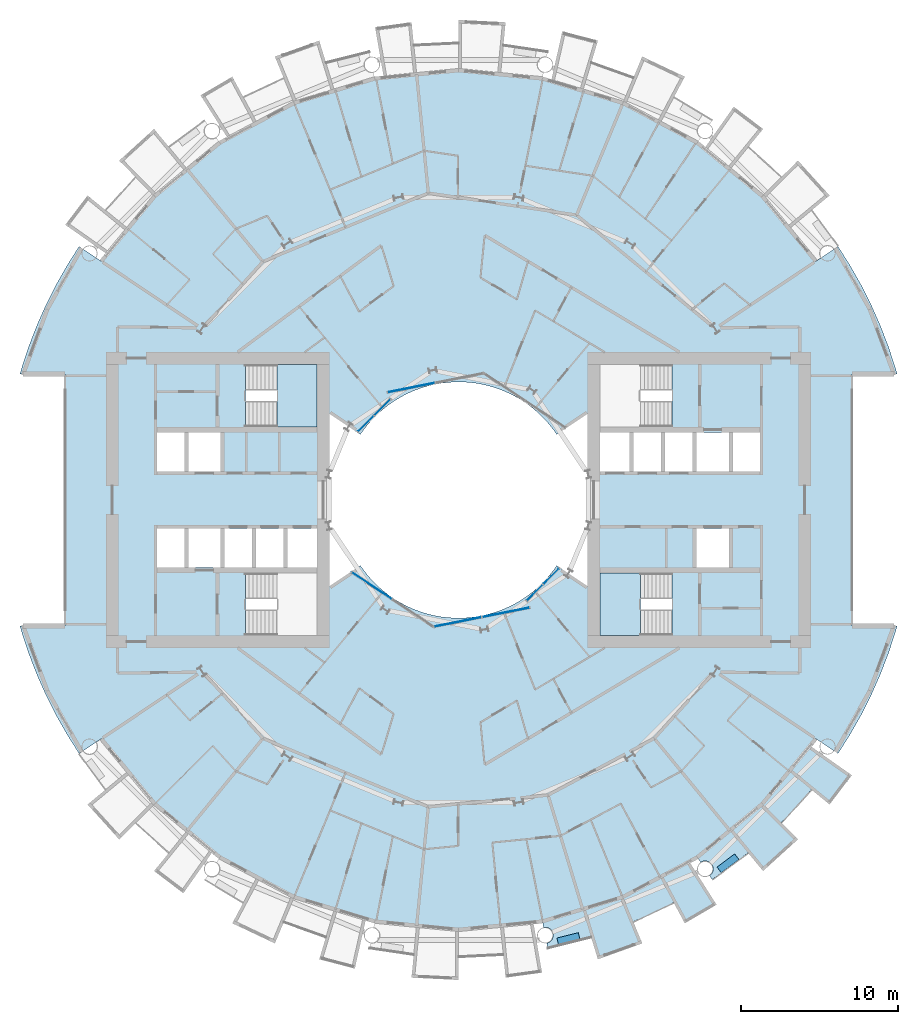
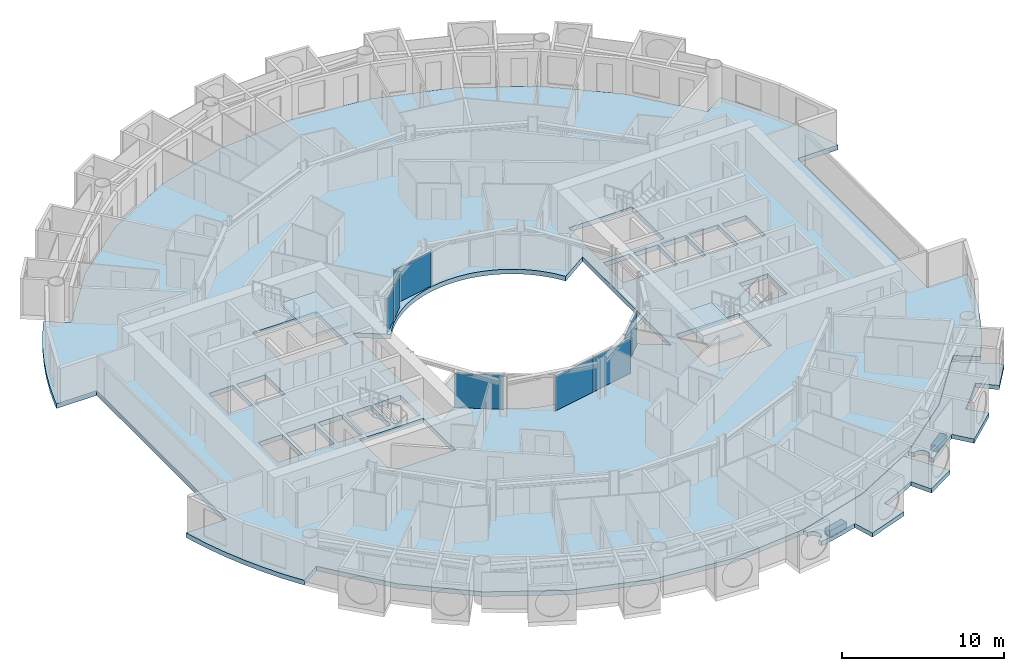
# One storey, part 10 of 26: 8 plates, 7 slabs, 7 elements without a shape of their own.
"""IFC4 building model written with IfcOpenShell, lengths in metres."""

from ifc_helpers import new_model, si_unit, direction, frame, origin, origin_2d, place, context, subcontext, project, spatial, polyline, rectangle, outline, extrude, material, layer, layer_set, type_object, element, aggregate, save


model = new_model("IFC4")

# Units and contexts
model_context = context("Model", 3, precision=1e-05, world=origin(), true_north=direction((0.0, 1.0)))
body_context = subcontext(model_context, "Body", "Model", "MODEL_VIEW")
ifc_project = project(units=[si_unit("LENGTHUNIT", "METRE"), si_unit("AREAUNIT", "SQUARE_METRE"), si_unit("VOLUMEUNIT", "CUBIC_METRE"), si_unit("PLANEANGLEUNIT", "RADIAN"), si_unit("MASSUNIT", "GRAM", prefix="KILO")], contexts=[model_context])

# Site, building, storey
site_placement = place(None, origin())
site = spatial("IfcSite", under=ifc_project, at=site_placement, CompositionType="ELEMENT")
building_placement = place(site_placement, origin())
building = spatial("IfcBuilding", under=site, at=building_placement, Name="Maasbend Ring Residences", CompositionType="ELEMENT")
storey_placement = place(building_placement, frame((0.0, 0.0, 50.25)))
storey = spatial("IfcBuildingStorey", under=building, at=storey_placement, Name="L14", CompositionType="ELEMENT", Elevation=50.25)

# Stair, slab
ifc_material_1 = material(Name="Concrete C40/50", Category="concrete")
stair_type = type_object("IfcStairType", Name="CORE STAIR 18 RISERS", PredefinedType="HALF_TURN_STAIR", material=ifc_material_1)
stair_1_placement = place(storey_placement, origin())
stair_1 = element("IfcStair", 1, at=stair_1_placement, inside=storey, type_object=stair_type, Name="L14 Exit stair ST-E2", PredefinedType="HALF_TURN_STAIR")
ifc_material_2 = material(Name="Concrete C40/50", Category="concrete")
ifc_layer_1 = layer(ifc_material_2, 0.199951171875)
ifc_layer_set_1 = layer_set([ifc_layer_1], Name="Concrete C40/50")
slab_type_1 = type_object("IfcSlabType", Name="CORE STAIR LANDING 200", PredefinedType="LANDING", material=ifc_layer_set_1)
slab_1_placement = place(storey_placement, frame((0.0, 0.0, 1.324951171875)))
slab_1 = element("IfcSlab", 2, at=slab_1_placement, type_object=slab_type_1, Name="ST-E2 landing 1", PredefinedType="LANDING", context=body_context, shape_type="SweptSolid", body=[
    extrude(outline(polyline([(11.550048828125, -4.64990234375), (9.0, -4.64990234375), (9.0, -8.60009765625), (11.550048828125, -8.60009765625), (11.550048828125, -4.64990234375)])), origin(), (0.0, 0.0, 1.0), 0.199951171875),
])
aggregate(stair_1, [slab_1])

stair_2_placement = place(storey_placement, origin())
stair_2 = element("IfcStair", 3, at=stair_2_placement, inside=storey, type_object=stair_type, Name="L14 Exit stair ST-W2", PredefinedType="HALF_TURN_STAIR")
slab_2_placement = place(storey_placement, frame((0.0, 0.0, 1.324951171875)))
slab_2 = element("IfcSlab", 4, at=slab_2_placement, type_object=slab_type_1, Name="ST-W2 landing 1", PredefinedType="LANDING", context=body_context, shape_type="SweptSolid", body=[
    extrude(outline(polyline([(-11.550048828125, 4.64990234375), (-9.0, 4.64990234375), (-9.0, 8.60009765625), (-11.550048828125, 8.60009765625), (-11.550048828125, 4.64990234375)])), origin(), (0.0, 0.0, 1.0), 0.199951171875),
])
aggregate(stair_2, [slab_2])

# Curtain wall, plate
ifc_material_3 = material(Name="Aluminium and clear glass", Category="aluminium")
ifc_layer_2 = layer(ifc_material_3, 0.179931640625)
ifc_layer_set_2 = layer_set([ifc_layer_2], Name="CW-W")
curtain_wall_type = type_object("IfcCurtainWallType", Name="CW-W", PredefinedType="NOTDEFINED", material=ifc_layer_set_2)
curtain_wall_1_placement = place(storey_placement, origin())
curtain_wall_1 = element("IfcCurtainWall", 5, at=curtain_wall_1_placement, inside=storey, type_object=curtain_wall_type, Name="Well curtain wall N2", PredefinedType="NOTDEFINED")
ifc_material_4 = material(Name="Glass clear laminated", Category="glass")
ifc_layer_3 = layer(ifc_material_4, 0.031982421875)
ifc_layer_set_3 = layer_set([ifc_layer_3], Name="CWP-W")
plate_type = type_object("IfcPlateType", Name="CWP-W", PredefinedType="CURTAIN_PANEL", material=ifc_layer_set_3)
plate_1_placement = place(storey_placement, frame((-3.0078125, 7.140380859375, 0.0), z_axis=(0.0, 0.0, 1.0), x_axis=(-0.980785280403, -0.195090322016, 0.0)))
plate_1 = element("IfcPlate", 6, at=plate_1_placement, type_object=plate_type, Name="Glass panel well face", PredefinedType="CURTAIN_PANEL", context=body_context, shape_type="SweptSolid", body=[
    extrude(rectangle(XDim=3.053955078125, YDim=0.031982421875, at=origin_2d()), origin(), (0.0, 0.0, 1.0), 2.580078125),
])
aggregate(curtain_wall_1, [plate_1])

# Curtain wall, plates
curtain_wall_2_placement = place(storey_placement, origin())
curtain_wall_2 = element("IfcCurtainWall", 7, at=curtain_wall_2_placement, inside=storey, type_object=curtain_wall_type, Name="Well curtain wall N3", PredefinedType="NOTDEFINED")
plate_2_placement = place(storey_placement, frame((-4.84375, 5.89013671875, 0.0), z_axis=(0.0, 0.0, 1.0), x_axis=(-0.707106781187, -0.707106781187, 0.0)))
plate_2 = element("IfcPlate", 8, at=plate_2_placement, type_object=plate_type, Name="Glass panel well face", PredefinedType="CURTAIN_PANEL", context=body_context, shape_type="SweptSolid", body=[
    extrude(rectangle(XDim=1.419677734375, YDim=0.031982421875, at=origin_2d()), origin(), (0.0, 0.0, 1.0), 2.580078125),
])
plate_3_placement = place(storey_placement, frame((-5.89013671875, 4.84375, 0.0), z_axis=(0.0, 0.0, 1.0), x_axis=(-0.707106781187, -0.707106781187, 0.0)))
plate_3 = element("IfcPlate", 9, at=plate_3_placement, type_object=plate_type, Name="Glass panel well face", PredefinedType="CURTAIN_PANEL", context=body_context, shape_type="SweptSolid", body=[
    extrude(rectangle(XDim=1.419677734375, YDim=0.031982421875, at=origin_2d()), origin(), (0.0, 0.0, 1.0), 2.580078125),
])
aggregate(curtain_wall_2, [plate_2, plate_3])

# Curtain wall, plate
curtain_wall_3_placement = place(storey_placement, origin())
curtain_wall_3 = element("IfcCurtainWall", 10, at=curtain_wall_3_placement, inside=storey, type_object=curtain_wall_type, Name="Well curtain wall S1", PredefinedType="NOTDEFINED")
plate_4_placement = place(storey_placement, frame((-5.51123046875, -5.44580078125, 0.0), z_axis=(0.0, 0.0, 1.0), x_axis=(0.831469612303, -0.55557023302, 0.0)))
plate_4 = element("IfcPlate", 11, at=plate_4_placement, type_object=plate_type, Name="Glass panel well face", PredefinedType="CURTAIN_PANEL", context=body_context, shape_type="SweptSolid", body=[
    extrude(rectangle(XDim=3.053955078125, YDim=0.031982421875, at=origin_2d()), origin(), (0.0, 0.0, 1.0), 2.580078125),
])
aggregate(curtain_wall_3, [plate_4])

# Curtain wall, plates
curtain_wall_4_placement = place(storey_placement, origin())
curtain_wall_4 = element("IfcCurtainWall", 12, at=curtain_wall_4_placement, inside=storey, type_object=curtain_wall_type, Name="Well curtain wall S2", PredefinedType="NOTDEFINED")
plate_5_placement = place(storey_placement, frame((-0.04638671875, -7.747802734375, 0.0), z_axis=(0.0, 0.0, 1.0), x_axis=(0.980785280403, 0.195090322016, 0.0)))
plate_5 = element("IfcPlate", 13, at=plate_5_placement, type_object=plate_type, Name="Glass panel well face", PredefinedType="CURTAIN_PANEL", context=body_context, shape_type="SweptSolid", body=[
    extrude(rectangle(XDim=3.053955078125, YDim=0.031982421875, at=origin_2d()), origin(), (0.0, 0.0, 1.0), 2.580078125),
])
plate_6_placement = place(storey_placement, frame((3.0078125, -7.140380859375, 0.0), z_axis=(0.0, 0.0, 1.0), x_axis=(0.980785280403, 0.195090322016, 0.0)))
plate_6 = element("IfcPlate", 14, at=plate_6_placement, type_object=plate_type, Name="Glass panel well face", PredefinedType="CURTAIN_PANEL", context=body_context, shape_type="SweptSolid", body=[
    extrude(rectangle(XDim=3.053955078125, YDim=0.031982421875, at=origin_2d()), origin(), (0.0, 0.0, 1.0), 2.580078125),
])
aggregate(curtain_wall_4, [plate_5, plate_6])

curtain_wall_5_placement = place(storey_placement, origin())
curtain_wall_5 = element("IfcCurtainWall", 15, at=curtain_wall_5_placement, inside=storey, type_object=curtain_wall_type, Name="Well curtain wall S3", PredefinedType="NOTDEFINED")
plate_7_placement = place(storey_placement, frame((4.84375, -5.89013671875, 0.0), z_axis=(0.0, 0.0, 1.0), x_axis=(0.707106781187, 0.707106781187, 0.0)))
plate_7 = element("IfcPlate", 16, at=plate_7_placement, type_object=plate_type, Name="Glass panel well face", PredefinedType="CURTAIN_PANEL", context=body_context, shape_type="SweptSolid", body=[
    extrude(rectangle(XDim=1.419677734375, YDim=0.031982421875, at=origin_2d()), origin(), (0.0, 0.0, 1.0), 2.580078125),
])
plate_8_placement = place(storey_placement, frame((5.89013671875, -4.84375, 0.0), z_axis=(0.0, 0.0, 1.0), x_axis=(0.707106781187, 0.707106781187, 0.0)))
plate_8 = element("IfcPlate", 17, at=plate_8_placement, type_object=plate_type, Name="Glass panel well face", PredefinedType="CURTAIN_PANEL", context=body_context, shape_type="SweptSolid", body=[
    extrude(rectangle(XDim=1.419677734375, YDim=0.031982421875, at=origin_2d()), origin(), (0.0, 0.0, 1.0), 2.580078125),
])
aggregate(curtain_wall_5, [plate_7, plate_8])

# Slabs
ifc_material_5 = material(Name="Planting with climbing greenery")
ifc_layer_4 = layer(ifc_material_5, 0.449951171875)
ifc_layer_set_4 = layer_set([ifc_layer_4], Name="PLANTER-LG")
slab_type_2 = type_object("IfcSlabType", Name="PLANTER-LG", PredefinedType="USERDEFINED", material=ifc_layer_set_4)
slab_3_placement = place(storey_placement, frame((0.0, 0.0, -0.030029296875)))
element("IfcSlab", 18, at=slab_3_placement, inside=storey, type_object=slab_type_2, Name="Planter with climbing greenery 4", ObjectType="PLANTER", PredefinedType="USERDEFINED", context=body_context, shape_type="SweptSolid", body=[
    extrude(outline(polyline([(6.35888671875, -28.26708984375), (7.717041015625, -27.927001953125), (7.60791015625, -27.489990234375), (6.25, -27.8310546875), (6.35888671875, -28.26708984375)])), origin(), (0.0, 0.0, 1.0), 0.449951171875),
])
slab_4_placement = place(storey_placement, frame((0.0, 0.0, -0.030029296875)))
element("IfcSlab", 19, at=slab_4_placement, inside=storey, type_object=slab_type_2, Name="Planter with climbing greenery 5", ObjectType="PLANTER", PredefinedType="USERDEFINED", context=body_context, shape_type="SweptSolid", body=[
    extrude(outline(polyline([(16.69189453125, -23.681884765625), (17.81689453125, -22.847900390625), (17.549072265625, -22.487060546875), (16.424072265625, -23.321044921875), (16.69189453125, -23.681884765625)])), origin(), (0.0, 0.0, 1.0), 0.449951171875),
])
ifc_material_6 = material(Name="Concrete C40/50", Category="concrete")
ifc_layer_5 = layer(ifc_material_6, 0.35009765625)
ifc_layer_set_5 = layer_set([ifc_layer_5], Name="Concrete C40/50")
slab_type_3 = type_object("IfcSlabType", Name="Post-tensioned flat plate 350", PredefinedType="FLOOR", material=ifc_layer_set_5)
slab_5_placement = place(storey_placement, frame((0.0, 0.0, -0.35009765625)))
element("IfcSlab", 20, at=slab_5_placement, inside=storey, type_object=slab_type_3, Name="Floor slab L14", PredefinedType="FLOOR", context=body_context, shape_type="SweptSolid", body=[
    extrude(outline(polyline([(24.8740234375, -14.908935546875), (25.57568359375, -13.67041015625), (26.2158203125, -12.399169921875), (26.79248046875, -11.097900390625), (27.3046875, -9.769775390625), (27.751220703125, -8.418212890625), (27.866943359375, -8.0), (25.0, -8.0), (25.0, 8.0), (27.866943359375, 8.0), (27.751220703125, 8.418212890625), (27.3046875, 9.769775390625), (26.79248046875, 11.097900390625), (26.2158203125, 12.399169921875), (25.57568359375, 13.67041015625), (24.8740234375, 14.908935546875), (24.112548828125, 16.111572265625), (22.69921875, 15.1669921875), (19.303955078125, 19.303955078125), (15.1669921875, 22.69921875), (10.447265625, 25.221923828125), (5.325927734375, 26.775390625), (0.0, 27.300048828125), (-5.325927734375, 26.775390625), (-10.447265625, 25.221923828125), (-15.1669921875, 22.69921875), (-19.303955078125, 19.303955078125), (-22.69921875, 15.1669921875), (-24.112548828125, 16.111572265625), (-24.8740234375, 14.908935546875), (-25.57568359375, 13.67041015625), (-26.2158203125, 12.399169921875), (-26.79248046875, 11.097900390625), (-27.3046875, 9.769775390625), (-27.751220703125, 8.418212890625), (-27.866943359375, 8.0), (-25.0, 8.0), (-25.0, -8.0), (-27.866943359375, -8.0), (-27.751220703125, -8.418212890625), (-27.3046875, -9.769775390625), (-26.79248046875, -11.097900390625), (-26.2158203125, -12.399169921875), (-25.57568359375, -13.67041015625), (-24.8740234375, -14.908935546875), (-24.112548828125, -16.111572265625), (-22.69921875, -15.1669921875), (-19.303955078125, -19.303955078125), (-15.1669921875, -22.69921875), (-10.447265625, -25.221923828125), (-5.325927734375, -26.775390625), (0.0, -27.300048828125), (5.325927734375, -26.775390625), (10.447265625, -25.221923828125), (15.1669921875, -22.69921875), (19.303955078125, -19.303955078125), (22.69921875, -15.1669921875), (24.112548828125, -16.111572265625), (24.8740234375, -14.908935546875)]), holes=[polyline([(17.425048828125, 4.27490234375), (19.14990234375, 4.27490234375), (19.14990234375, 1.824951171875), (17.425048828125, 1.824951171875), (17.425048828125, 4.27490234375)]), polyline([(15.125, 1.824951171875), (15.125, 4.27490234375), (17.175048828125, 4.27490234375), (17.175048828125, 1.824951171875), (15.125, 1.824951171875)]), polyline([(15.125, -4.27490234375), (15.125, -1.824951171875), (17.175048828125, -1.824951171875), (17.175048828125, -4.27490234375), (15.125, -4.27490234375)]), polyline([(13.125, 1.824951171875), (13.125, 4.27490234375), (14.875, 4.27490234375), (14.875, 1.824951171875), (13.125, 1.824951171875)]), polyline([(13.550048828125, 4.64990234375), (9.0, 4.64990234375), (9.0, 8.60009765625), (13.550048828125, 8.60009765625), (13.550048828125, 4.64990234375)]), polyline([(13.550048828125, -4.64990234375), (13.550048828125, -8.60009765625), (9.0, -8.60009765625), (9.0, -4.64990234375), (13.550048828125, -4.64990234375)]), polyline([(11.125, 1.824951171875), (11.125, 4.27490234375), (12.875, 4.27490234375), (12.875, 1.824951171875), (11.125, 1.824951171875)]), polyline([(9.0, 1.824951171875), (9.0, 4.27490234375), (10.875, 4.27490234375), (10.875, 1.824951171875), (9.0, 1.824951171875)]), polyline([(6.024169921875, 4.4677734375), (6.236083984375, 4.166748046875), (8.199951171875, 5.47900390625), (8.199951171875, -5.47900390625), (6.236083984375, -4.166748046875), (6.024169921875, -4.4677734375), (5.797607421875, -4.7578125), (5.55712890625, -5.03662109375), (5.30322265625, -5.30322265625), (5.03662109375, -5.55712890625), (4.7578125, -5.797607421875), (4.4677734375, -6.024169921875), (4.166748046875, -6.236083984375), (3.855712890625, -6.43310546875), (3.535400390625, -6.614501953125), (3.206787109375, -6.77978515625), (2.8701171875, -6.92919921875), (2.526611328125, -7.0615234375), (2.177001953125, -7.177001953125), (1.822509765625, -7.275146484375), (1.463134765625, -7.35595703125), (1.1005859375, -7.418701171875), (0.735107421875, -7.4638671875), (0.367919921875, -7.490966796875), (0.0, -7.5), (-0.367919921875, -7.490966796875), (-0.735107421875, -7.4638671875), (-1.1005859375, -7.418701171875), (-1.463134765625, -7.35595703125), (-1.822509765625, -7.275146484375), (-2.177001953125, -7.177001953125), (-2.526611328125, -7.0615234375), (-2.8701171875, -6.92919921875), (-3.206787109375, -6.77978515625), (-3.535400390625, -6.614501953125), (-3.855712890625, -6.43310546875), (-4.166748046875, -6.236083984375), (-4.4677734375, -6.024169921875), (-4.7578125, -5.797607421875), (-5.03662109375, -5.55712890625), (-5.30322265625, -5.30322265625), (-5.55712890625, -5.03662109375), (-5.797607421875, -4.7578125), (-6.024169921875, -4.4677734375), (-6.236083984375, -4.166748046875), (-8.199951171875, -5.47900390625), (-8.199951171875, 5.47900390625), (-6.236083984375, 4.166748046875), (-6.236083984375, 4.166748046875), (-6.024169921875, 4.4677734375), (-5.797607421875, 4.7578125), (-5.55712890625, 5.03662109375), (-5.30322265625, 5.30322265625), (-5.03662109375, 5.55712890625), (-4.7578125, 5.797607421875), (-4.4677734375, 6.024169921875), (-4.166748046875, 6.236083984375), (-3.855712890625, 6.43310546875), (-3.535400390625, 6.614501953125), (-3.206787109375, 6.77978515625), (-2.8701171875, 6.92919921875), (-2.526611328125, 7.0615234375), (-2.177001953125, 7.177001953125), (-1.822509765625, 7.275146484375), (-1.463134765625, 7.35595703125), (-1.1005859375, 7.418701171875), (-0.735107421875, 7.4638671875), (-0.367919921875, 7.490966796875), (0.0, 7.5), (0.367919921875, 7.490966796875), (0.735107421875, 7.4638671875), (1.1005859375, 7.418701171875), (1.463134765625, 7.35595703125), (1.822509765625, 7.275146484375), (2.177001953125, 7.177001953125), (2.526611328125, 7.0615234375), (2.8701171875, 6.92919921875), (3.206787109375, 6.77978515625), (3.535400390625, 6.614501953125), (3.855712890625, 6.43310546875), (4.166748046875, 6.236083984375), (4.4677734375, 6.024169921875), (4.7578125, 5.797607421875), (5.03662109375, 5.55712890625), (5.30322265625, 5.30322265625), (5.55712890625, 5.03662109375), (5.797607421875, 4.7578125), (6.024169921875, 4.4677734375)]), polyline([(-13.550048828125, 4.64990234375), (-13.550048828125, 8.60009765625), (-9.0, 8.60009765625), (-9.0, 4.64990234375), (-13.550048828125, 4.64990234375)]), polyline([(-13.550048828125, -8.60009765625), (-13.550048828125, -4.64990234375), (-9.0, -4.64990234375), (-9.0, -8.60009765625), (-13.550048828125, -8.60009765625)]), polyline([(-9.0, -1.824951171875), (-9.0, -4.27490234375), (-10.875, -4.27490234375), (-10.875, -1.824951171875), (-9.0, -1.824951171875)]), polyline([(-11.125, -1.824951171875), (-11.125, -4.27490234375), (-12.875, -4.27490234375), (-12.875, -1.824951171875), (-11.125, -1.824951171875)]), polyline([(-13.125, -1.824951171875), (-13.125, -4.27490234375), (-14.875, -4.27490234375), (-14.875, -1.824951171875), (-13.125, -1.824951171875)]), polyline([(-15.125, 4.27490234375), (-15.125, 1.824951171875), (-17.175048828125, 1.824951171875), (-17.175048828125, 4.27490234375), (-15.125, 4.27490234375)]), polyline([(-15.125, -1.824951171875), (-15.125, -4.27490234375), (-17.175048828125, -4.27490234375), (-17.175048828125, -1.824951171875), (-15.125, -1.824951171875)]), polyline([(-17.425048828125, -1.824951171875), (-17.425048828125, -4.27490234375), (-19.14990234375, -4.27490234375), (-19.14990234375, -1.824951171875), (-17.425048828125, -1.824951171875)]), polyline([(-17.425048828125, 4.27490234375), (-17.425048828125, 1.824951171875), (-19.14990234375, 1.824951171875), (-19.14990234375, 4.27490234375), (-17.425048828125, 4.27490234375)])]), origin(), (0.0, 0.0, 1.0), 0.35009765625),
])
ifc_material_7 = material(Name="Concrete C40/50", Category="concrete")
ifc_layer_6 = layer(ifc_material_7, 0.199951171875)
ifc_layer_set_6 = layer_set([ifc_layer_6], Name="Concrete C40/50")
slab_type_4 = type_object("IfcSlabType", Name="SL-LOGGIA", PredefinedType="FLOOR", material=ifc_layer_set_6)
slab_6_placement = place(storey_placement, frame((0.0, 0.0, -0.35009765625)))
element("IfcSlab", 21, at=slab_6_placement, inside=storey, type_object=slab_type_4, Name="Loggia floor 2", PredefinedType="FLOOR", context=body_context, shape_type="SweptSolid", body=[
    extrude(outline(polyline([(10.447021484375, -25.221923828125), (12.806884765625, -23.9609375), (14.64599609375, -22.97705078125), (14.64599609375, -22.97705078125), (14.64599609375, -22.97705078125), (16.39404296875, -25.718994140625), (16.39404296875, -25.718994140625), (16.39404296875, -25.718994140625), (14.3779296875, -26.89892578125), (14.3779296875, -26.89892578125), (14.3779296875, -26.89892578125), (13.6708984375, -25.575927734375), (13.6708984375, -25.575927734375), (13.6708984375, -25.575927734375), (13.6708984375, -25.575927734375), (13.6708984375, -25.575927734375), (13.6708984375, -25.575927734375), (13.6708984375, -25.575927734375), (13.669921875, -25.575927734375), (13.669921875, -25.575927734375), (13.669921875, -25.575927734375), (13.669921875, -25.575927734375), (13.669921875, -25.575927734375), (13.669921875, -25.575927734375), (13.669921875, -25.575927734375), (13.669921875, -25.575927734375), (13.669921875, -25.575927734375), (13.669921875, -25.575927734375), (12.825927734375, -26.009033203125), (12.825927734375, -26.009033203125), (11.968994140625, -26.4150390625), (11.968994140625, -26.4150390625), (11.097900390625, -26.7919921875), (11.097900390625, -26.7919921875), (11.097900390625, -26.7919921875), (11.097900390625, -26.7919921875), (11.097900390625, -26.7919921875), (11.097900390625, -26.7919921875), (11.097900390625, -26.7919921875), (11.097900390625, -26.79296875), (11.097900390625, -26.79296875), (11.097900390625, -26.79296875), (11.097900390625, -26.79296875), (11.097900390625, -26.79296875), (11.097900390625, -26.79296875), (11.097900390625, -26.79296875), (11.097900390625, -26.79296875), (11.097900390625, -26.79296875), (11.097900390625, -26.79296875), (11.672119140625, -28.177978515625), (11.672119140625, -28.177978515625), (11.672119140625, -28.177978515625), (8.85400390625, -29.18701171875), (8.85400390625, -29.18701171875), (8.85400390625, -29.18701171875), (8.41796875, -27.751953125), (8.41796875, -27.751953125), (8.41796875, -27.751953125), (8.41796875, -27.751953125), (8.41796875, -27.751953125), (8.41796875, -27.751953125), (8.41796875, -27.751953125), (8.41796875, -27.7509765625), (8.41796875, -27.7509765625), (8.41796875, -27.7509765625), (8.41796875, -27.7509765625), (8.41796875, -27.7509765625), (8.41796875, -27.7509765625), (8.41796875, -27.7509765625), (8.41796875, -27.7509765625), (8.41796875, -27.7509765625), (8.41796875, -27.7509765625), (7.506103515625, -28.011962890625), (7.506103515625, -28.011962890625), (6.5849609375, -28.241943359375), (6.5849609375, -28.241943359375), (5.657958984375, -28.443115234375), (5.657958984375, -28.443115234375), (5.657958984375, -28.443115234375), (5.60107421875, -28.156005859375), (5.613037109375, -28.154052734375), (5.625, -28.15087890625), (5.636962890625, -28.14794921875), (5.64892578125, -28.14404296875), (5.660888671875, -28.139892578125), (5.673095703125, -28.135986328125), (5.68408203125, -28.132080078125), (5.696044921875, -28.126953125), (5.70703125, -28.123046875), (5.718994140625, -28.116943359375), (5.72998046875, -28.112060546875), (5.740966796875, -28.10595703125), (5.751953125, -28.10009765625), (5.762939453125, -28.093994140625), (5.77294921875, -28.0869140625), (5.783935546875, -28.080078125), (5.7939453125, -28.072998046875), (5.803955078125, -28.06591796875), (5.81396484375, -28.05908203125), (5.823974609375, -28.051025390625), (5.8330078125, -28.04296875), (5.843017578125, -28.034912109375), (5.85205078125, -28.02587890625), (5.861083984375, -28.01708984375), (5.868896484375, -28.008056640625), (5.8779296875, -27.9990234375), (5.885986328125, -27.989990234375), (5.89404296875, -27.97998046875), (5.902099609375, -27.970947265625), (5.909912109375, -27.9609375), (5.9169921875, -27.950927734375), (5.924072265625, -27.93994140625), (5.930908203125, -27.929931640625), (5.93701171875, -27.9189453125), (5.944091796875, -27.907958984375), (5.949951171875, -27.89794921875), (5.955078125, -27.886962890625), (5.9609375, -27.875), (5.966064453125, -27.864013671875), (5.970947265625, -27.85302734375), (5.97509765625, -27.841064453125), (5.97998046875, -27.8291015625), (5.98388671875, -27.81689453125), (5.988037109375, -27.805908203125), (5.990966796875, -27.7939453125), (5.993896484375, -27.781982421875), (5.9970703125, -27.76904296875), (6.0, -27.757080078125), (6.001953125, -27.7451171875), (6.00390625, -27.73291015625), (6.006103515625, -27.719970703125), (6.007080078125, -27.7080078125), (6.008056640625, -27.695068359375), (6.009033203125, -27.68310546875), (6.009033203125, -27.6708984375), (6.010009765625, -27.657958984375), (6.009033203125, -27.64599609375), (6.009033203125, -27.633056640625), (6.008056640625, -27.62109375), (6.007080078125, -27.60791015625), (6.006103515625, -27.595947265625), (6.00390625, -27.583984375), (6.001953125, -27.571044921875), (6.0, -27.55908203125), (5.9970703125, -27.547119140625), (5.993896484375, -27.534912109375), (5.990966796875, -27.52294921875), (5.988037109375, -27.510986328125), (5.98388671875, -27.4990234375), (5.97998046875, -27.487060546875), (5.97509765625, -27.47509765625), (5.970947265625, -27.464111328125), (5.966064453125, -27.451904296875), (5.9609375, -27.44091796875), (5.955078125, -27.429931640625), (5.949951171875, -27.4189453125), (5.944091796875, -27.407958984375), (5.93701171875, -27.39697265625), (5.930908203125, -27.385986328125), (5.924072265625, -27.3759765625), (5.9169921875, -27.365966796875), (5.909912109375, -27.35498046875), (5.902099609375, -27.345947265625), (5.89404296875, -27.3359375), (5.885986328125, -27.325927734375), (5.8779296875, -27.31689453125), (5.868896484375, -27.30810546875), (5.861083984375, -27.299072265625), (5.85205078125, -27.2900390625), (5.843017578125, -27.281982421875), (5.8330078125, -27.27294921875), (5.823974609375, -27.264892578125), (5.81396484375, -27.258056640625), (5.803955078125, -27.25), (5.7939453125, -27.242919921875), (5.783935546875, -27.236083984375), (5.77294921875, -27.22900390625), (5.762939453125, -27.221923828125), (5.751953125, -27.216064453125), (5.740966796875, -27.2099609375), (5.72998046875, -27.2041015625), (5.718994140625, -27.198974609375), (5.70703125, -27.194091796875), (5.696044921875, -27.18896484375), (5.68408203125, -27.18408203125), (5.673095703125, -27.179931640625), (5.660888671875, -27.176025390625), (5.64892578125, -27.172119140625), (5.636962890625, -27.1689453125), (5.625, -27.1650390625), (5.613037109375, -27.162109375), (5.60107421875, -27.159912109375), (5.587890625, -27.157958984375), (5.575927734375, -27.156005859375), (5.56396484375, -27.154052734375), (5.551025390625, -27.153076171875), (5.5390625, -27.15087890625), (5.52587890625, -27.15087890625), (5.513916015625, -27.14990234375), (5.501953125, -27.14990234375), (5.489013671875, -27.14990234375), (5.47705078125, -27.15087890625), (5.464111328125, -27.15087890625), (5.451904296875, -27.153076171875), (5.43896484375, -27.154052734375), (5.427001953125, -27.156005859375), (5.4150390625, -27.157958984375), (5.402099609375, -27.159912109375), (5.325927734375, -26.77490234375), (5.325927734375, -26.77490234375), (5.325927734375, -26.77490234375), (7.886962890625, -25.9990234375), (10.447021484375, -25.221923828125), (10.447021484375, -25.221923828125), (10.447021484375, -25.221923828125)])), origin(), (0.0, 0.0, 1.0), 0.320068359375),
])
slab_7_placement = place(storey_placement, frame((0.0, 0.0, -0.35009765625)))
element("IfcSlab", 22, at=slab_7_placement, inside=storey, type_object=slab_type_4, Name="Loggia floor 5", PredefinedType="FLOOR", context=body_context, shape_type="SweptSolid", body=[
    extrude(outline(polyline([(19.303955078125, -19.303955078125), (21.001953125, -17.236083984375), (22.324951171875, -15.623046875), (22.324951171875, -15.623046875), (22.324951171875, -15.623046875), (24.989013671875, -17.488037109375), (24.989013671875, -17.488037109375), (24.989013671875, -17.488037109375), (23.576904296875, -19.34912109375), (23.576904296875, -19.34912109375), (23.576904296875, -19.34912109375), (22.41796875, -18.39794921875), (22.41796875, -18.39794921875), (22.41796875, -18.39794921875), (22.41796875, -18.39794921875), (22.41796875, -18.39794921875), (22.4169921875, -18.39794921875), (22.4169921875, -18.39794921875), (22.4169921875, -18.39794921875), (22.4169921875, -18.39794921875), (22.4169921875, -18.39794921875), (22.4169921875, -18.39794921875), (22.4169921875, -18.39794921875), (22.4169921875, -18.39794921875), (22.4169921875, -18.39794921875), (22.4169921875, -18.39794921875), (22.4169921875, -18.39794921875), (22.4169921875, -18.39794921875), (21.802978515625, -19.12109375), (21.802978515625, -19.12109375), (21.166015625, -19.823974609375), (21.166015625, -19.823974609375), (20.506103515625, -20.506103515625), (20.506103515625, -20.506103515625), (20.506103515625, -20.506103515625), (20.506103515625, -20.506103515625), (20.506103515625, -20.506103515625), (20.506103515625, -20.506103515625), (20.506103515625, -20.506103515625), (20.506103515625, -20.506103515625), (20.506103515625, -20.506103515625), (20.506103515625, -20.506103515625), (20.506103515625, -20.506103515625), (20.506103515625, -20.506103515625), (20.506103515625, -20.506103515625), (20.506103515625, -20.506103515625), (20.506103515625, -20.506103515625), (20.506103515625, -20.506103515625), (20.506103515625, -20.506103515625), (21.56689453125, -21.56689453125), (21.56689453125, -21.56689453125), (21.56689453125, -21.56689453125), (19.34912109375, -23.576904296875), (19.34912109375, -23.576904296875), (19.34912109375, -23.576904296875), (18.39794921875, -22.41796875), (18.39794921875, -22.41796875), (18.39794921875, -22.41796875), (18.39794921875, -22.41796875), (18.39794921875, -22.41796875), (18.39794921875, -22.41796875), (18.39697265625, -22.41796875), (18.39697265625, -22.41796875), (18.39697265625, -22.41796875), (18.39697265625, -22.41796875), (18.39697265625, -22.41796875), (18.39697265625, -22.41796875), (18.39697265625, -22.41796875), (18.39697265625, -22.41796875), (18.39697265625, -22.41796875), (18.39697265625, -22.41796875), (18.39697265625, -22.41796875), (17.654052734375, -23.007080078125), (17.654052734375, -23.007080078125), (16.89208984375, -23.572998046875), (16.89208984375, -23.572998046875), (16.112060546875, -24.113037109375), (16.112060546875, -24.113037109375), (16.112060546875, -24.113037109375), (15.948974609375, -23.8701171875), (15.948974609375, -23.8701171875), (15.9599609375, -23.863037109375), (15.969970703125, -23.85498046875), (15.97998046875, -23.847900390625), (15.989013671875, -23.840087890625), (15.9990234375, -23.83203125), (16.008056640625, -23.823974609375), (16.01708984375, -23.81494140625), (16.02587890625, -23.806884765625), (16.034912109375, -23.798095703125), (16.0439453125, -23.7890625), (16.052001953125, -23.779052734375), (16.06005859375, -23.77001953125), (16.068115234375, -23.760009765625), (16.074951171875, -23.75), (16.08203125, -23.739990234375), (16.089111328125, -23.72998046875), (16.095947265625, -23.718994140625), (16.10302734375, -23.708984375), (16.10888671875, -23.697998046875), (16.114990234375, -23.68701171875), (16.12109375, -23.676025390625), (16.1259765625, -23.6650390625), (16.132080078125, -23.653076171875), (16.135986328125, -23.64208984375), (16.14111328125, -23.6298828125), (16.14501953125, -23.618896484375), (16.14892578125, -23.60693359375), (16.153076171875, -23.594970703125), (16.156982421875, -23.5830078125), (16.159912109375, -23.571044921875), (16.1630859375, -23.55908203125), (16.1650390625, -23.547119140625), (16.16796875, -23.533935546875), (16.169921875, -23.52197265625), (16.1708984375, -23.510009765625), (16.173095703125, -23.4970703125), (16.174072265625, -23.485107421875), (16.174072265625, -23.471923828125), (16.175048828125, -23.4599609375), (16.175048828125, -23.447021484375), (16.175048828125, -23.43505859375), (16.174072265625, -23.422119140625), (16.174072265625, -23.409912109375), (16.173095703125, -23.39794921875), (16.1708984375, -23.385009765625), (16.169921875, -23.373046875), (16.16796875, -23.361083984375), (16.1650390625, -23.347900390625), (16.1630859375, -23.3359375), (16.159912109375, -23.323974609375), (16.156982421875, -23.31201171875), (16.153076171875, -23.300048828125), (16.14892578125, -23.2880859375), (16.14501953125, -23.27587890625), (16.14111328125, -23.264892578125), (16.135986328125, -23.2529296875), (16.132080078125, -23.241943359375), (16.1259765625, -23.22998046875), (16.12109375, -23.218994140625), (16.114990234375, -23.2080078125), (16.10888671875, -23.197021484375), (16.10302734375, -23.18603515625), (16.095947265625, -23.176025390625), (16.089111328125, -23.1650390625), (16.08203125, -23.155029296875), (16.074951171875, -23.14501953125), (16.068115234375, -23.135009765625), (16.06005859375, -23.125), (16.052001953125, -23.115966796875), (16.0439453125, -23.10595703125), (16.034912109375, -23.096923828125), (16.02587890625, -23.087890625), (16.01708984375, -23.0791015625), (16.008056640625, -23.071044921875), (15.9990234375, -23.06298828125), (15.989013671875, -23.054931640625), (15.97998046875, -23.047119140625), (15.969970703125, -23.0390625), (15.9599609375, -23.031982421875), (15.948974609375, -23.02490234375), (15.93896484375, -23.01806640625), (15.927978515625, -23.011962890625), (15.9169921875, -23.0048828125), (15.906982421875, -22.9990234375), (15.89599609375, -22.993896484375), (15.884033203125, -22.988037109375), (15.873046875, -22.98291015625), (15.862060546875, -22.97802734375), (15.85009765625, -22.972900390625), (15.837890625, -22.968994140625), (15.825927734375, -22.965087890625), (15.81494140625, -22.9609375), (15.802978515625, -22.9580078125), (15.791015625, -22.955078125), (15.778076171875, -22.951904296875), (15.76611328125, -22.948974609375), (15.75390625, -22.947021484375), (15.741943359375, -22.945068359375), (15.72900390625, -22.943115234375), (15.717041015625, -22.94189453125), (15.7041015625, -22.94091796875), (15.69189453125, -22.93994140625), (15.679931640625, -22.93994140625), (15.6669921875, -22.93896484375), (15.655029296875, -22.93994140625), (15.64208984375, -22.93994140625), (15.6298828125, -22.94091796875), (15.616943359375, -22.94189453125), (15.60498046875, -22.943115234375), (15.593017578125, -22.945068359375), (15.580078125, -22.947021484375), (15.568115234375, -22.948974609375), (15.555908203125, -22.951904296875), (15.5439453125, -22.955078125), (15.531982421875, -22.9580078125), (15.52001953125, -22.9609375), (15.508056640625, -22.965087890625), (15.49609375, -22.968994140625), (15.48388671875, -22.972900390625), (15.472900390625, -22.97802734375), (15.4609375, -22.98291015625), (15.449951171875, -22.988037109375), (15.43896484375, -22.993896484375), (15.427978515625, -22.9990234375), (15.4169921875, -23.0048828125), (15.406005859375, -23.011962890625), (15.39501953125, -23.01806640625), (15.385009765625, -23.02490234375), (15.385009765625, -23.02490234375), (15.1669921875, -22.698974609375), (15.1669921875, -22.698974609375), (15.1669921875, -22.698974609375), (17.236083984375, -21.001953125), (19.303955078125, -19.303955078125), (19.303955078125, -19.303955078125), (19.303955078125, -19.303955078125)])), origin(), (0.0, 0.0, 1.0), 0.320068359375),
])

save(model, "model.ifc")
